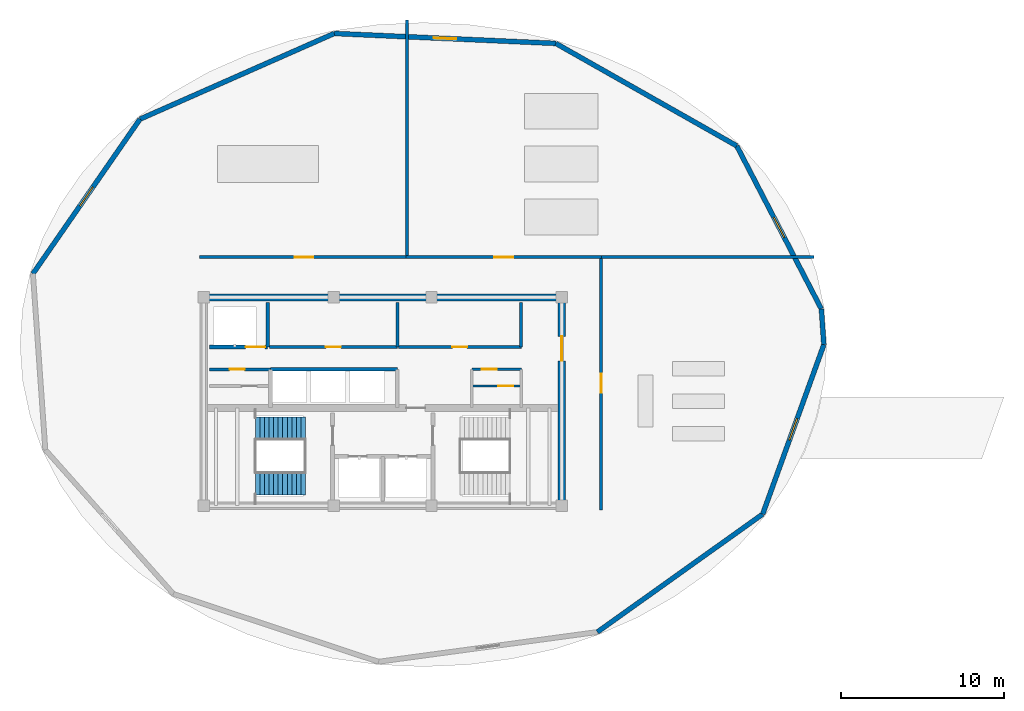
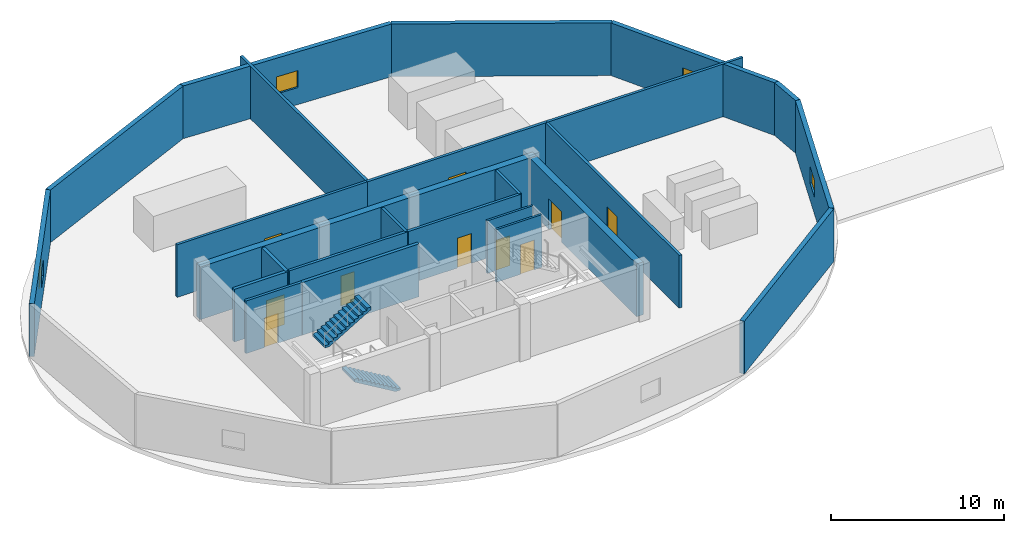
# One storey, part 2 of 5: 25 walls, 10 doors, 4 windows, 2 stair flights, 14 openings, 1 element without a shape of its own.
"""IFC4 building model written with IfcOpenShell, lengths in metres."""

from ifc_helpers import new_model, si_unit, direction, frame, frame_2d, origin, place, context, subcontext, project, spatial, polyline, rectangle, outline, extrude, material, layer, layer_set, type_object, element, fill, aggregate, save


model = new_model("IFC4")

# Units and contexts
model_context = context("Model", 3, precision=1e-05, world=origin(), true_north=direction((0.0, 1.0)))
body_context = subcontext(model_context, "Body", "Model", "MODEL_VIEW")
ifc_project = project(units=[si_unit("LENGTHUNIT", "METRE"), si_unit("AREAUNIT", "SQUARE_METRE"), si_unit("VOLUMEUNIT", "CUBIC_METRE"), si_unit("PLANEANGLEUNIT", "RADIAN"), si_unit("MASSUNIT", "GRAM", prefix="KILO")], contexts=[model_context])

# Site, building, storey
site_placement = place(None, origin())
site = spatial("IfcSite", under=ifc_project, at=site_placement, CompositionType="ELEMENT")
building_placement = place(site_placement, origin())
building = spatial("IfcBuilding", under=site, at=building_placement, Name="Kazevale Care Tower and Concert Hall", CompositionType="ELEMENT")
storey_placement = place(building_placement, frame((0.0, 0.0, 292.800048828125)))
storey = spatial("IfcBuildingStorey", under=building, at=storey_placement, Name="L77", CompositionType="ELEMENT", Elevation=292.800048828125)

# Wall, opening, door
ifc_material_1 = material(Name="Acoustic Gypsum on Steel Stud", Category="steel")
ifc_layer_1 = layer(ifc_material_1, 0.139892578125)
ifc_layer_set_1 = layer_set([ifc_layer_1], Name="Acoustic Gypsum on Steel Stud")
wall_type_1 = type_object("IfcWallType", Name="Acoustic Care & Suite Partition 140", PredefinedType="PARTITIONING", material=ifc_layer_set_1)
wall_1_placement = place(storey_placement, frame((38.47998046875, 30.949951171875, 0.0), z_axis=(0.0, 0.0, 1.0), x_axis=(1.0, 0.0, 0.0)))
wall_1 = element("IfcWall", 1, at=wall_1_placement, inside=storey, type_object=wall_type_1, Name="wall:L77:kc_em", PredefinedType="PARTITIONING", context=body_context, shape_type="SweptSolid", body=[
    extrude(rectangle(XDim=3.0400390625, YDim=0.139892578125, at=frame_2d((1.52001953125, 0.0))), origin(), (0.0, 0.0, 1.0), 3.719970703125),
])
opening_1_placement = place(wall_1_placement, frame((1.616943359375, 0.0, 0.0)))
opening_1 = element("IfcOpeningElement", 2, at=opening_1_placement, cuts=wall_1, Name="Opening ID-900", PredefinedType="OPENING", context=body_context, shape_type="SweptSolid", body=[
    extrude(rectangle(XDim=0.919921875, YDim=2.10009765625, at=frame_2d((0.4599609375, 1.050048828125))), frame((0.0, 0.079833984375, 0.0), z_axis=(0.0, -1.0, 0.0), x_axis=(1.0, 0.0, 0.0)), (0.0, 0.0, 1.0), 0.159912109375),
])
ifc_material_2 = material(Name="Oak Timber Fire Leaf", Category="wood")
door_type_1 = type_object("IfcDoorType", Name="Bathroom & Service Door 920x2100", OperationType="NOTDEFINED", PredefinedType="DOOR", material=ifc_material_2)
door_1_placement = place(opening_1_placement, origin())
door_1 = element("IfcDoor", 3, at=door_1_placement, inside=storey, type_object=door_type_1, Name="door:L77:d_kceb", OperationType="SINGLE_SWING_RIGHT", OverallHeight=2.10009765625, OverallWidth=0.919921875, PredefinedType="DOOR", context=body_context, shape_type="SweptSolid", body=[
    extrude(rectangle(XDim=0.919921875, YDim=2.10009765625, at=frame_2d((0.4599609375, 1.050048828125))), frame((0.0, 0.02490234375, 0.0), z_axis=(0.0, -1.0, 0.0), x_axis=(1.0, 0.0, 0.0)), (0.0, 0.0, 1.0), 0.050048828125),
])
fill(opening_1, door_1)

wall_2_placement = place(storey_placement, frame((38.47998046875, 31.97998046875, 0.0), z_axis=(0.0, 0.0, 1.0), x_axis=(1.0, 0.0, 0.0)))
wall_2 = element("IfcWall", 4, at=wall_2_placement, inside=storey, type_object=wall_type_1, Name="wall:L77:kc_en", PredefinedType="PARTITIONING", context=body_context, shape_type="SweptSolid", body=[
    extrude(rectangle(XDim=3.0400390625, YDim=0.139892578125, at=frame_2d((1.52001953125, 0.0))), origin(), (0.0, 0.0, 1.0), 3.719970703125),
])
opening_2_placement = place(wall_2_placement, frame((0.614013671875, 0.0, 0.0)))
opening_2 = element("IfcOpeningElement", 5, at=opening_2_placement, cuts=wall_2, Name="Opening ID-900", PredefinedType="OPENING", context=body_context, shape_type="SweptSolid", body=[
    extrude(rectangle(XDim=0.919921875, YDim=2.10009765625, at=frame_2d((0.4599609375, 1.050048828125))), frame((0.0, 0.079833984375, 0.0), z_axis=(0.0, -1.0, 0.0), x_axis=(1.0, 0.0, 0.0)), (0.0, 0.0, 1.0), 0.159912109375),
])
door_2_placement = place(opening_2_placement, origin())
door_2 = element("IfcDoor", 6, at=door_2_placement, inside=storey, type_object=door_type_1, Name="door:L77:d_kcet", OperationType="SINGLE_SWING_LEFT", OverallHeight=2.10009765625, OverallWidth=0.919921875, PredefinedType="DOOR", context=body_context, shape_type="SweptSolid", body=[
    extrude(rectangle(XDim=0.919921875, YDim=2.10009765625, at=frame_2d((0.4599609375, 1.050048828125))), frame((0.0, 0.02490234375, 0.0), z_axis=(0.0, -1.0, 0.0), x_axis=(1.0, 0.0, 0.0)), (0.0, 0.0, 1.0), 0.050048828125),
])
fill(opening_2, door_2)

# Wall
ifc_material_3 = material(Name="Concrete C50", Category="concrete")
ifc_layer_2 = layer(ifc_material_3, 0.449951171875)
ifc_layer_set_2 = layer_set([ifc_layer_2], Name="Concrete C50")
wall_type_2 = type_object("IfcWallType", Name="Core Shear Wall 450 C50", PredefinedType="SHEAR", material=ifc_layer_set_2)
wall_3_placement = place(storey_placement, frame((21.77490234375, 36.39990234375, 0.0), z_axis=(0.0, 0.0, 1.0), x_axis=(1.0, 0.0, 0.0)))
element("IfcWall", 7, at=wall_3_placement, inside=storey, type_object=wall_type_2, Name="wall:L77:core:N", PredefinedType="SHEAR", context=body_context, shape_type="SweptSolid", body=[
    extrude(rectangle(XDim=22.4501953125, YDim=0.449951171875, at=frame_2d((11.22509765625, 0.0))), origin(), (0.0, 0.0, 1.0), 3.719970703125),
])

# Wall, opening, door
wall_4_placement = place(storey_placement, frame((44.0, 23.824951171875, 0.0), z_axis=(0.0, 0.0, 1.0), x_axis=(0.0, 1.0, 0.0)))
wall_4 = element("IfcWall", 8, at=wall_4_placement, inside=storey, type_object=wall_type_2, Name="wall:L77:core:E", PredefinedType="SHEAR", context=body_context, shape_type="SweptSolid", body=[
    extrude(rectangle(XDim=12.35009765625, YDim=0.449951171875, at=frame_2d((6.175048828125, 0.0))), origin(), (0.0, 0.0, 1.0), 3.719970703125),
])
opening_3_placement = place(wall_4_placement, frame((8.675048828125, 0.0, 0.0)))
opening_3 = element("IfcOpeningElement", 9, at=opening_3_placement, cuts=wall_4, Name="Opening FD-60D", PredefinedType="OPENING", context=body_context, shape_type="SweptSolid", body=[
    extrude(rectangle(XDim=1.5, YDim=2.14990234375, at=frame_2d((0.75, 1.074951171875))), frame((0.0, 0.23486328125, 0.0), z_axis=(0.0, -1.0, 0.0), x_axis=(1.0, 0.0, 0.0)), (0.0, 0.0, 1.0), 0.469970703125),
])
door_type_2 = type_object("IfcDoorType", Name="Double Lobby & Auditorium Fire Door 1500x2150", OperationType="NOTDEFINED", PredefinedType="DOOR", material=ifc_material_2)
door_3_placement = place(opening_3_placement, origin())
door_3 = element("IfcDoor", 10, at=door_3_placement, inside=storey, type_object=door_type_2, Name="door:L77:core_east_out", OperationType="DOUBLE_DOOR_SINGLE_SWING", OverallHeight=2.14990234375, OverallWidth=1.5, PredefinedType="DOOR", context=body_context, shape_type="SweptSolid", body=[
    extrude(rectangle(XDim=1.5, YDim=2.14990234375, at=frame_2d((0.75, 1.074951171875))), frame((0.0, 0.02490234375, 0.0), z_axis=(0.0, -1.0, 0.0), x_axis=(1.0, 0.0, 0.0)), (0.0, 0.0, 1.0), 0.050048828125),
])
fill(opening_3, door_3)

# Wall, opening, window
ifc_material_4 = material(Name="Concrete C40 with Honed Limestone Cladding", Category="masonry")
ifc_layer_3 = layer(ifc_material_4, 0.300048828125)
ifc_layer_set_3 = layer_set([ifc_layer_3], Name="Concrete C40 with Honed Limestone Cladding")
wall_type_3 = type_object("IfcWallType", Name="Crown Drum Louvred Stone Wall 300", PredefinedType="STANDARD", material=ifc_layer_set_3)
wall_5_placement = place(storey_placement, frame((60.1201171875, 33.5, 0.0), z_axis=(0.0, 0.0, 1.0), x_axis=(-0.339587618367, -0.940574425259, 0.0)))
wall_5 = element("IfcWall", 11, at=wall_5_placement, inside=storey, type_object=wall_type_3, Name="wall:L77:drum:01", PredefinedType="STANDARD", context=body_context, shape_type="SweptSolid", body=[
    extrude(rectangle(XDim=11.08154296875, YDim=0.300048828125, at=frame_2d((5.540771484375, 0.0))), origin(), (0.0, 0.0, 1.0), 3.719970703125),
])
opening_4_placement = place(wall_5_placement, frame((4.841064453125, 0.0, 1.199951171875)))
opening_4 = element("IfcOpeningElement", 12, at=opening_4_placement, cuts=wall_5, Name="Opening WIN-4", PredefinedType="OPENING", context=body_context, shape_type="SweptSolid", body=[
    extrude(rectangle(XDim=1.39990234375, YDim=1.199951171875, at=frame_2d((0.699951171875, 0.60009765625))), frame((0.0, 0.159912109375, 0.0), z_axis=(0.0, -1.0, 0.0), x_axis=(1.0, 0.0, 0.0)), (0.0, 0.0, 1.0), 0.320068359375),
])
ifc_material_5 = material(Name="Aluminium 6063-T6", Category="aluminium")
window_type = type_object("IfcWindowType", Name="Crown Plant Louvred Window 1400x1200", PartitioningType="SINGLE_PANEL", PredefinedType="WINDOW", material=ifc_material_5)
window_1_placement = place(opening_4_placement, origin())
window_1 = element("IfcWindow", 13, at=window_1_placement, inside=storey, type_object=window_type, Name="win:L77:drum:01", OverallHeight=1.199951171875, OverallWidth=1.39990234375, PartitioningType="SINGLE_PANEL", PredefinedType="WINDOW", context=body_context, shape_type="SweptSolid", body=[
    extrude(rectangle(XDim=1.39990234375, YDim=1.199951171875, at=frame_2d((0.699951171875, 0.60009765625))), frame((0.0, 0.030029296875, 0.0), z_axis=(0.0, -1.0, 0.0), x_axis=(1.0, 0.0, 0.0)), (0.0, 0.0, 1.0), 0.06005859375),
])
fill(opening_4, window_1)

# Wall
wall_6_placement = place(storey_placement, frame((56.35693359375, 23.076904296875, 0.0), z_axis=(0.0, 0.0, 1.0), x_axis=(-0.814111303181, -0.580708865123, 0.0)))
element("IfcWall", 14, at=wall_6_placement, inside=storey, type_object=wall_type_3, Name="wall:L77:drum:02", PredefinedType="STANDARD", context=body_context, shape_type="SweptSolid", body=[
    extrude(rectangle(XDim=12.48095703125, YDim=0.300048828125, at=frame_2d((6.240478515625, 0.0))), origin(), (0.0, 0.0, 1.0), 3.719970703125),
])

# Wall, opening, window
wall_7_placement = place(storey_placement, frame((11.4951171875, 37.85595703125, 0.0), z_axis=(0.0, 0.0, 1.0), x_axis=(0.569269280193, 0.822151133691, 0.0)))
wall_7 = element("IfcWall", 15, at=wall_7_placement, inside=storey, type_object=wall_type_3, Name="wall:L77:drum:07", PredefinedType="STANDARD", context=body_context, shape_type="SweptSolid", body=[
    extrude(rectangle(XDim=11.56005859375, YDim=0.300048828125, at=frame_2d((5.780029296875, 0.0))), origin(), (0.0, 0.0, 1.0), 3.719970703125),
])
opening_5_placement = place(wall_7_placement, frame((5.080078125, 0.0, 1.199951171875)))
opening_5 = element("IfcOpeningElement", 16, at=opening_5_placement, cuts=wall_7, Name="Opening WIN-4", PredefinedType="OPENING", context=body_context, shape_type="SweptSolid", body=[
    extrude(rectangle(XDim=1.39990234375, YDim=1.199951171875, at=frame_2d((0.699951171875, 0.60009765625))), frame((0.0, 0.159912109375, 0.0), z_axis=(0.0, -1.0, 0.0), x_axis=(1.0, 0.0, 0.0)), (0.0, 0.0, 1.0), 0.320068359375),
])
window_2_placement = place(opening_5_placement, origin())
window_2 = element("IfcWindow", 17, at=window_2_placement, inside=storey, type_object=window_type, Name="win:L77:drum:07", OverallHeight=1.199951171875, OverallWidth=1.39990234375, PartitioningType="SINGLE_PANEL", PredefinedType="WINDOW", context=body_context, shape_type="SweptSolid", body=[
    extrude(rectangle(XDim=1.39990234375, YDim=1.199951171875, at=frame_2d((0.699951171875, 0.60009765625))), frame((0.0, 0.030029296875, 0.0), z_axis=(0.0, -1.0, 0.0), x_axis=(1.0, 0.0, 0.0)), (0.0, 0.0, 1.0), 0.06005859375),
])
fill(opening_5, window_2)

# Wall
wall_8_placement = place(storey_placement, frame((18.075927734375, 47.360107421875, 0.0), z_axis=(0.0, 0.0, 1.0), x_axis=(0.914943001047, 0.40358308294, 0.0)))
element("IfcWall", 18, at=wall_8_placement, inside=storey, type_object=wall_type_3, Name="wall:L77:drum:08", PredefinedType="STANDARD", context=body_context, shape_type="SweptSolid", body=[
    extrude(rectangle(XDim=13.0478515625, YDim=0.300048828125, at=frame_2d((6.52392578125, 0.0))), origin(), (0.0, 0.0, 1.0), 3.719970703125),
])

# Wall, opening, window
wall_9_placement = place(storey_placement, frame((30.013916015625, 52.6259765625, 0.0), z_axis=(0.0, 0.0, 1.0), x_axis=(0.998996211569, -0.04479474602, 0.0)))
wall_9 = element("IfcWall", 19, at=wall_9_placement, inside=storey, type_object=wall_type_3, Name="wall:L77:drum:09", PredefinedType="STANDARD", context=body_context, shape_type="SweptSolid", body=[
    extrude(rectangle(XDim=13.641845703125, YDim=0.300048828125, at=frame_2d((6.82080078125, 0.0))), origin(), (0.0, 0.0, 1.0), 3.719970703125),
])
opening_6_placement = place(wall_9_placement, frame((6.12109375, 0.0, 1.199951171875)))
opening_6 = element("IfcOpeningElement", 20, at=opening_6_placement, cuts=wall_9, Name="Opening WIN-4", PredefinedType="OPENING", context=body_context, shape_type="SweptSolid", body=[
    extrude(rectangle(XDim=1.39990234375, YDim=1.199951171875, at=frame_2d((0.699951171875, 0.60009765625))), frame((0.0, 0.159912109375, 0.0), z_axis=(0.0, -1.0, 0.0), x_axis=(1.0, 0.0, 0.0)), (0.0, 0.0, 1.0), 0.320068359375),
])
window_3_placement = place(opening_6_placement, origin())
window_3 = element("IfcWindow", 21, at=window_3_placement, inside=storey, type_object=window_type, Name="win:L77:drum:09", OverallHeight=1.199951171875, OverallWidth=1.39990234375, PartitioningType="SINGLE_PANEL", PredefinedType="WINDOW", context=body_context, shape_type="SweptSolid", body=[
    extrude(rectangle(XDim=1.39990234375, YDim=1.199951171875, at=frame_2d((0.699951171875, 0.60009765625))), frame((0.0, 0.030029296875, 0.0), z_axis=(0.0, -1.0, 0.0), x_axis=(1.0, 0.0, 0.0)), (0.0, 0.0, 1.0), 0.06005859375),
])
fill(opening_6, window_3)

# Wall
wall_10_placement = place(storey_placement, frame((43.64208984375, 52.014892578125, 0.0), z_axis=(0.0, 0.0, 1.0), x_axis=(0.870169378253, -0.492752730232, 0.0)))
element("IfcWall", 22, at=wall_10_placement, inside=storey, type_object=wall_type_3, Name="wall:L77:drum:10", PredefinedType="STANDARD", context=body_context, shape_type="SweptSolid", body=[
    extrude(rectangle(XDim=12.779052734375, YDim=0.300048828125, at=frame_2d((6.3896484375, 0.0))), origin(), (0.0, 0.0, 1.0), 3.719970703125),
])

# Wall, opening, window
wall_11_placement = place(storey_placement, frame((54.761962890625, 45.718017578125, 0.0), z_axis=(0.0, 0.0, 1.0), x_axis=(0.460623742834, -0.8875954977, 0.0)))
wall_11 = element("IfcWall", 23, at=wall_11_placement, inside=storey, type_object=wall_type_3, Name="wall:L77:drum:11", PredefinedType="STANDARD", context=body_context, shape_type="SweptSolid", body=[
    extrude(rectangle(XDim=11.2958984375, YDim=0.300048828125, at=frame_2d((5.64794921875, 0.0))), origin(), (0.0, 0.0, 1.0), 3.719970703125),
])
opening_7_placement = place(wall_11_placement, frame((4.947998046875, 0.0, 1.199951171875)))
opening_7 = element("IfcOpeningElement", 24, at=opening_7_placement, cuts=wall_11, Name="Opening WIN-4", PredefinedType="OPENING", context=body_context, shape_type="SweptSolid", body=[
    extrude(rectangle(XDim=1.39990234375, YDim=1.199951171875, at=frame_2d((0.699951171875, 0.60009765625))), frame((0.0, 0.159912109375, 0.0), z_axis=(0.0, -1.0, 0.0), x_axis=(1.0, 0.0, 0.0)), (0.0, 0.0, 1.0), 0.320068359375),
])
window_4_placement = place(opening_7_placement, origin())
window_4 = element("IfcWindow", 25, at=window_4_placement, inside=storey, type_object=window_type, Name="win:L77:drum:11", OverallHeight=1.199951171875, OverallWidth=1.39990234375, PartitioningType="SINGLE_PANEL", PredefinedType="WINDOW", context=body_context, shape_type="SweptSolid", body=[
    extrude(rectangle(XDim=1.39990234375, YDim=1.199951171875, at=frame_2d((0.699951171875, 0.60009765625))), frame((0.0, 0.030029296875, 0.0), z_axis=(0.0, -1.0, 0.0), x_axis=(1.0, 0.0, 0.0)), (0.0, 0.0, 1.0), 0.06005859375),
])
fill(opening_7, window_4)

# Walls
wall_12_placement = place(storey_placement, frame((59.965087890625, 35.69189453125, 0.0), z_axis=(0.0, 0.0, 1.0), x_axis=(0.070552198309, -0.997508088846, 0.0)))
element("IfcWall", 26, at=wall_12_placement, inside=storey, type_object=wall_type_3, Name="wall:L77:drum:12", PredefinedType="STANDARD", context=body_context, shape_type="SweptSolid", body=[
    extrude(rectangle(XDim=2.197265625, YDim=0.300048828125, at=frame_2d((1.0986328125, 0.0))), origin(), (0.0, 0.0, 1.0), 3.719970703125),
])
ifc_material_6 = material(Name="Concrete C40", Category="concrete")
ifc_layer_4 = layer(ifc_material_6, 0.219970703125)
ifc_layer_set_4 = layer_set([ifc_layer_4], Name="Concrete C40")
wall_type_4 = type_object("IfcWallType", Name="Elevator Hoistway Shaft Wall 220", PredefinedType="SOLIDWALL", material=ifc_layer_set_4)
wall_13_placement = place(storey_placement, frame((25.919921875, 33.35009765625, 0.0), z_axis=(0.0, 0.0, 1.0), x_axis=(0.0, 1.0, 0.0)))
element("IfcWall", 27, at=wall_13_placement, inside=storey, type_object=wall_type_4, Name="wall:L77:c_svl_e", PredefinedType="SOLIDWALL", context=body_context, shape_type="SweptSolid", body=[
    extrude(rectangle(XDim=2.72998046875, YDim=0.219970703125, at=frame_2d((1.364990234375, 0.0))), origin(), (0.0, 0.0, 1.0), 3.719970703125),
])

# Wall, opening, door
wall_14_placement = place(storey_placement, frame((22.35009765625, 33.35009765625, 0.0), z_axis=(0.0, 0.0, 1.0), x_axis=(1.0, 0.0, 0.0)))
wall_14 = element("IfcWall", 28, at=wall_14_placement, inside=storey, type_object=wall_type_4, Name="wall:L77:c_svl_s", PredefinedType="SOLIDWALL", context=body_context, shape_type="SweptSolid", body=[
    extrude(rectangle(XDim=3.56982421875, YDim=0.219970703125, at=frame_2d((1.784912109375, 0.0))), origin(), (0.0, 0.0, 1.0), 3.719970703125),
])
opening_8_placement = place(wall_14_placement, frame((2.212890625, 0.0, 0.0)))
opening_8 = element("IfcOpeningElement", 29, at=opening_8_placement, cuts=wall_14, Name="Opening LD-SV", PredefinedType="OPENING", context=body_context, shape_type="SweptSolid", body=[
    extrude(rectangle(XDim=1.199951171875, YDim=2.10009765625, at=frame_2d((0.60009765625, 1.050048828125))), frame((0.0, 0.119873046875, 0.0), z_axis=(0.0, -1.0, 0.0), x_axis=(1.0, 0.0, 0.0)), (0.0, 0.0, 1.0), 0.239990234375),
])
ifc_material_7 = material(Name="Stainless Steel 316", Category="steel")
door_type_3 = type_object("IfcDoorType", Name="Service Lift Sliding Landing Door 1200x2100", OperationType="NOTDEFINED", PredefinedType="DOOR", material=ifc_material_7)
door_4_placement = place(opening_8_placement, origin())
door_4 = element("IfcDoor", 30, at=door_4_placement, inside=storey, type_object=door_type_3, Name="door:L77:ld_svl1", OperationType="SLIDING_TO_LEFT", OverallHeight=2.10009765625, OverallWidth=1.199951171875, PredefinedType="DOOR", context=body_context, shape_type="SweptSolid", body=[
    extrude(rectangle(XDim=1.199951171875, YDim=2.10009765625, at=frame_2d((0.60009765625, 1.050048828125))), frame((0.0, 0.02490234375, 0.0), z_axis=(0.0, -1.0, 0.0), x_axis=(1.0, 0.0, 0.0)), (0.0, 0.0, 1.0), 0.050048828125),
])
fill(opening_8, door_4)

# Wall
wall_15_placement = place(storey_placement, frame((26.10009765625, 31.97998046875, 0.0), z_axis=(0.0, 0.0, 1.0), x_axis=(1.0, 0.0, 0.0)))
element("IfcWall", 31, at=wall_15_placement, inside=storey, type_object=wall_type_4, Name="wall:L77:c_ph_n", PredefinedType="SOLIDWALL", context=body_context, shape_type="SweptSolid", body=[
    extrude(rectangle(XDim=7.7998046875, YDim=0.219970703125, at=frame_2d((3.89990234375, 0.0))), origin(), (0.0, 0.0, 1.0), 3.719970703125),
])

# Wall, opening, door
ifc_material_8 = material(Name="Concrete C40 and Acoustic Gypsum", Category="concrete")
ifc_layer_5 = layer(ifc_material_8, 0.179931640625)
ifc_layer_set_5 = layer_set([ifc_layer_5], Name="Concrete C40 and Acoustic Gypsum")
wall_type_5 = type_object("IfcWallType", Name="Fire-Rated Corridor & Party Wall 180", PredefinedType="PARTITIONING", material=ifc_layer_set_5)
wall_16_placement = place(storey_placement, frame((26.050048828125, 33.35009765625, 0.0), z_axis=(0.0, 0.0, 1.0), x_axis=(1.0, 0.0, 0.0)))
wall_16 = element("IfcWall", 32, at=wall_16_placement, inside=storey, type_object=wall_type_5, Name="wall:L77:c_cps_s", PredefinedType="PARTITIONING", context=body_context, shape_type="SweptSolid", body=[
    extrude(rectangle(XDim=7.869873046875, YDim=0.179931640625, at=frame_2d((3.93505859375, 0.0))), origin(), (0.0, 0.0, 1.0), 3.719970703125),
])
opening_9_placement = place(wall_16_placement, frame((3.4599609375, 0.0, 0.0)))
opening_9 = element("IfcOpeningElement", 33, at=opening_9_placement, cuts=wall_16, Name="Opening ID-900", PredefinedType="OPENING", context=body_context, shape_type="SweptSolid", body=[
    extrude(rectangle(XDim=0.919921875, YDim=2.10009765625, at=frame_2d((0.4599609375, 1.050048828125))), frame((0.0, 0.099853515625, 0.0), z_axis=(0.0, -1.0, 0.0), x_axis=(1.0, 0.0, 0.0)), (0.0, 0.0, 1.0), 0.199951171875),
])
door_5_placement = place(opening_9_placement, origin())
door_5 = element("IfcDoor", 34, at=door_5_placement, inside=storey, type_object=door_type_1, Name="door:L77:d_cps", OperationType="SINGLE_SWING_LEFT", OverallHeight=2.10009765625, OverallWidth=0.919921875, PredefinedType="DOOR", context=body_context, shape_type="SweptSolid", body=[
    extrude(rectangle(XDim=0.919921875, YDim=2.10009765625, at=frame_2d((0.4599609375, 1.050048828125))), frame((0.0, 0.02490234375, 0.0), z_axis=(0.0, -1.0, 0.0), x_axis=(1.0, 0.0, 0.0)), (0.0, 0.0, 1.0), 0.050048828125),
])
fill(opening_9, door_5)

# Wall
wall_17_placement = place(storey_placement, frame((33.89990234375, 33.35009765625, 0.0), z_axis=(0.0, 0.0, 1.0), x_axis=(0.0, 1.0, 0.0)))
element("IfcWall", 35, at=wall_17_placement, inside=storey, type_object=wall_type_5, Name="wall:L77:c_cps_e", PredefinedType="PARTITIONING", context=body_context, shape_type="SweptSolid", body=[
    extrude(rectangle(XDim=2.75, YDim=0.179931640625, at=frame_2d((1.375, 0.0))), origin(), (0.0, 0.0, 1.0), 3.719970703125),
])

# Wall, opening, door
wall_18_placement = place(storey_placement, frame((33.97998046875, 33.35009765625, 0.0), z_axis=(0.0, 0.0, 1.0), x_axis=(1.0, 0.0, 0.0)))
wall_18 = element("IfcWall", 36, at=wall_18_placement, inside=storey, type_object=wall_type_5, Name="wall:L77:c_pma_s", PredefinedType="PARTITIONING", context=body_context, shape_type="SweptSolid", body=[
    extrude(rectangle(XDim=7.5400390625, YDim=0.179931640625, at=frame_2d((3.77001953125, 0.0))), origin(), (0.0, 0.0, 1.0), 3.719970703125),
])
opening_10_placement = place(wall_18_placement, frame((3.294921875, 0.0, 0.0)))
opening_10 = element("IfcOpeningElement", 37, at=opening_10_placement, cuts=wall_18, Name="Opening ID-900", PredefinedType="OPENING", context=body_context, shape_type="SweptSolid", body=[
    extrude(rectangle(XDim=0.919921875, YDim=2.10009765625, at=frame_2d((0.4599609375, 1.050048828125))), frame((0.0, 0.099853515625, 0.0), z_axis=(0.0, -1.0, 0.0), x_axis=(1.0, 0.0, 0.0)), (0.0, 0.0, 1.0), 0.199951171875),
])
door_6_placement = place(opening_10_placement, origin())
door_6 = element("IfcDoor", 38, at=door_6_placement, inside=storey, type_object=door_type_1, Name="door:L77:d_pma", OperationType="SINGLE_SWING_LEFT", OverallHeight=2.10009765625, OverallWidth=0.919921875, PredefinedType="DOOR", context=body_context, shape_type="SweptSolid", body=[
    extrude(rectangle(XDim=0.919921875, YDim=2.10009765625, at=frame_2d((0.4599609375, 1.050048828125))), frame((0.0, 0.02490234375, 0.0), z_axis=(0.0, -1.0, 0.0), x_axis=(1.0, 0.0, 0.0)), (0.0, 0.0, 1.0), 0.050048828125),
])
fill(opening_10, door_6)

# Wall
wall_19_placement = place(storey_placement, frame((41.5, 33.35009765625, 0.0), z_axis=(0.0, 0.0, 1.0), x_axis=(0.0, 1.0, 0.0)))
element("IfcWall", 39, at=wall_19_placement, inside=storey, type_object=wall_type_5, Name="wall:L77:c_pma_e", PredefinedType="PARTITIONING", context=body_context, shape_type="SweptSolid", body=[
    extrude(rectangle(XDim=2.75, YDim=0.179931640625, at=frame_2d((1.375, 0.0))), origin(), (0.0, 0.0, 1.0), 3.719970703125),
])

# Wall, opening, door
wall_20_placement = place(storey_placement, frame((22.35009765625, 31.97998046875, 0.0), z_axis=(0.0, 0.0, 1.0), x_axis=(1.0, 0.0, 0.0)))
wall_20 = element("IfcWall", 40, at=wall_20_placement, inside=storey, type_object=wall_type_5, Name="wall:L77:kc_wn", PredefinedType="PARTITIONING", context=body_context, shape_type="SweptSolid", body=[
    extrude(rectangle(XDim=3.75, YDim=0.179931640625, at=frame_2d((1.875, 0.0))), origin(), (0.0, 0.0, 1.0), 3.719970703125),
])
opening_11_placement = place(wall_20_placement, frame((1.238037109375, 0.0, 0.0)))
opening_11 = element("IfcOpeningElement", 41, at=opening_11_placement, cuts=wall_20, Name="Opening ID-900", PredefinedType="OPENING", context=body_context, shape_type="SweptSolid", body=[
    extrude(rectangle(XDim=0.919921875, YDim=2.10009765625, at=frame_2d((0.4599609375, 1.050048828125))), frame((0.0, 0.099853515625, 0.0), z_axis=(0.0, -1.0, 0.0), x_axis=(1.0, 0.0, 0.0)), (0.0, 0.0, 1.0), 0.199951171875),
])
door_7_placement = place(opening_11_placement, origin())
door_7 = element("IfcDoor", 42, at=door_7_placement, inside=storey, type_object=door_type_1, Name="door:L77:d_kcwt", OperationType="SINGLE_SWING_LEFT", OverallHeight=2.10009765625, OverallWidth=0.919921875, PredefinedType="DOOR", context=body_context, shape_type="SweptSolid", body=[
    extrude(rectangle(XDim=0.919921875, YDim=2.10009765625, at=frame_2d((0.4599609375, 1.050048828125))), frame((0.0, 0.02490234375, 0.0), z_axis=(0.0, -1.0, 0.0), x_axis=(1.0, 0.0, 0.0)), (0.0, 0.0, 1.0), 0.050048828125),
])
fill(opening_11, door_7)

wall_21_placement = place(storey_placement, frame((21.7451171875, 38.875, 0.0), z_axis=(0.0, 0.0, 1.0), x_axis=(1.0, 0.0, 0.0)))
wall_21 = element("IfcWall", 43, at=wall_21_placement, inside=storey, type_object=wall_type_5, Name="wall:L77:auto_001", PredefinedType="PARTITIONING", context=body_context, shape_type="SweptSolid", body=[
    extrude(rectangle(XDim=12.81982421875, YDim=0.179931640625, at=frame_2d((6.409912109375, 0.0))), origin(), (0.0, 0.0, 1.0), 3.719970703125),
])
opening_12_placement = place(wall_21_placement, frame((5.8349609375, 0.0, 0.0)))
opening_12 = element("IfcOpeningElement", 44, at=opening_12_placement, cuts=wall_21, Name="Opening FD-90", PredefinedType="OPENING", context=body_context, shape_type="SweptSolid", body=[
    extrude(rectangle(XDim=1.14990234375, YDim=2.10009765625, at=frame_2d((0.574951171875, 1.050048828125))), frame((0.0, 0.099853515625, 0.0), z_axis=(0.0, -1.0, 0.0), x_axis=(1.0, 0.0, 0.0)), (0.0, 0.0, 1.0), 0.199951171875),
])
ifc_material_9 = material(Name="Steel ASTM A572 Gr 50", Category="steel")
door_type_4 = type_object("IfcDoorType", Name="Pressurized Stair & Lobby Fire Door 1150x2100", OperationType="NOTDEFINED", PredefinedType="DOOR", material=ifc_material_9)
door_8_placement = place(opening_12_placement, origin())
door_8 = element("IfcDoor", 45, at=door_8_placement, inside=storey, type_object=door_type_4, Name="door:L77:ad_001", OperationType="SINGLE_SWING_LEFT", OverallHeight=2.10009765625, OverallWidth=1.14990234375, PredefinedType="DOOR", context=body_context, shape_type="SweptSolid", body=[
    extrude(rectangle(XDim=1.14990234375, YDim=2.10009765625, at=frame_2d((0.574951171875, 1.050048828125))), frame((0.0, 0.02490234375, 0.0), z_axis=(0.0, -1.0, 0.0), x_axis=(1.0, 0.0, 0.0)), (0.0, 0.0, 1.0), 0.050048828125),
])
fill(opening_12, door_8)

wall_22_placement = place(storey_placement, frame((34.43505859375, 38.875, 0.0), z_axis=(0.0, 0.0, 1.0), x_axis=(1.0, 0.0, 0.0)))
wall_22 = element("IfcWall", 46, at=wall_22_placement, inside=storey, type_object=wall_type_5, Name="wall:L77:auto_002", PredefinedType="PARTITIONING", context=body_context, shape_type="SweptSolid", body=[
    extrude(rectangle(XDim=12.02001953125, YDim=0.179931640625, at=frame_2d((6.010009765625, 0.0))), origin(), (0.0, 0.0, 1.0), 3.719970703125),
])
opening_13_placement = place(wall_22_placement, frame((5.43505859375, 0.0, 0.0)))
opening_13 = element("IfcOpeningElement", 47, at=opening_13_placement, cuts=wall_22, Name="Opening FD-90", PredefinedType="OPENING", context=body_context, shape_type="SweptSolid", body=[
    extrude(rectangle(XDim=1.14990234375, YDim=2.10009765625, at=frame_2d((0.574951171875, 1.050048828125))), frame((0.0, 0.099853515625, 0.0), z_axis=(0.0, -1.0, 0.0), x_axis=(1.0, 0.0, 0.0)), (0.0, 0.0, 1.0), 0.199951171875),
])
door_9_placement = place(opening_13_placement, origin())
door_9 = element("IfcDoor", 48, at=door_9_placement, inside=storey, type_object=door_type_4, Name="door:L77:ad_002", OperationType="SINGLE_SWING_LEFT", OverallHeight=2.10009765625, OverallWidth=1.14990234375, PredefinedType="DOOR", context=body_context, shape_type="SweptSolid", body=[
    extrude(rectangle(XDim=1.14990234375, YDim=2.10009765625, at=frame_2d((0.574951171875, 1.050048828125))), frame((0.0, 0.02490234375, 0.0), z_axis=(0.0, -1.0, 0.0), x_axis=(1.0, 0.0, 0.0)), (0.0, 0.0, 1.0), 0.050048828125),
])
fill(opening_13, door_9)

wall_23_placement = place(storey_placement, frame((46.425048828125, 38.905029296875, 0.0), z_axis=(0.0, 0.0, 1.0), x_axis=(0.0, -1.0, 0.0)))
wall_23 = element("IfcWall", 49, at=wall_23_placement, inside=storey, type_object=wall_type_5, Name="wall:L77:auto_003", PredefinedType="PARTITIONING", context=body_context, shape_type="SweptSolid", body=[
    extrude(rectangle(XDim=15.56005859375, YDim=0.179931640625, at=frame_2d((7.780029296875, 0.0))), origin(), (0.0, 0.0, 1.0), 3.719970703125),
])
opening_14_placement = place(wall_23_placement, frame((7.205078125, 0.0, 0.0)))
opening_14 = element("IfcOpeningElement", 50, at=opening_14_placement, cuts=wall_23, Name="Opening FD-90", PredefinedType="OPENING", context=body_context, shape_type="SweptSolid", body=[
    extrude(rectangle(XDim=1.14990234375, YDim=2.10009765625, at=frame_2d((0.574951171875, 1.050048828125))), frame((0.0, 0.099853515625, 0.0), z_axis=(0.0, -1.0, 0.0), x_axis=(1.0, 0.0, 0.0)), (0.0, 0.0, 1.0), 0.199951171875),
])
door_10_placement = place(opening_14_placement, origin())
door_10 = element("IfcDoor", 51, at=door_10_placement, inside=storey, type_object=door_type_4, Name="door:L77:ad_003", OperationType="SINGLE_SWING_LEFT", OverallHeight=2.10009765625, OverallWidth=1.14990234375, PredefinedType="DOOR", context=body_context, shape_type="SweptSolid", body=[
    extrude(rectangle(XDim=1.14990234375, YDim=2.10009765625, at=frame_2d((0.574951171875, 1.050048828125))), frame((0.0, 0.02490234375, 0.0), z_axis=(0.0, -1.0, 0.0), x_axis=(1.0, 0.0, 0.0)), (0.0, 0.0, 1.0), 0.050048828125),
])
fill(opening_14, door_10)

# Walls
wall_24_placement = place(storey_placement, frame((34.5, 53.455078125, 0.0), z_axis=(0.0, 0.0, 1.0), x_axis=(0.0, -1.0, 0.0)))
element("IfcWall", 52, at=wall_24_placement, inside=storey, type_object=wall_type_5, Name="wall:L77:auto_004", PredefinedType="PARTITIONING", context=body_context, shape_type="SweptSolid", body=[
    extrude(rectangle(XDim=14.610107421875, YDim=0.179931640625, at=frame_2d((7.30517578125, 0.0))), origin(), (0.0, 0.0, 1.0), 3.719970703125),
])
wall_25_placement = place(storey_placement, frame((59.51708984375, 38.875, 0.0), z_axis=(0.0, 0.0, 1.0), x_axis=(-1.0, 0.0, 0.0)))
element("IfcWall", 53, at=wall_25_placement, inside=storey, type_object=wall_type_5, Name="wall:L77:auto_005", PredefinedType="PARTITIONING", context=body_context, shape_type="SweptSolid", body=[
    extrude(rectangle(XDim=13.156982421875, YDim=0.179931640625, at=frame_2d((6.57861328125, 0.0))), origin(), (0.0, 0.0, 1.0), 3.719970703125),
])

# Stair, stair flights
stair_type = type_object("IfcStairType", Name="Exit Stair Assembly ST1-C", PredefinedType="HALF_TURN_STAIR", material=ifc_material_6)
stair_placement = place(storey_placement, origin())
stair = element("IfcStair", 54, at=stair_placement, inside=storey, type_object=stair_type, Name="stair:L77:ST1", PredefinedType="HALF_TURN_STAIR")
ifc_layer_6 = layer(ifc_material_6, 0.159912109375)
ifc_layer_set_6 = layer_set([ifc_layer_6], Name="Concrete C40")
stair_flight_type = type_object("IfcStairFlightType", Name="Exit Stair Flight ST1-C", PredefinedType="STRAIGHT", material=ifc_layer_set_6)
stair_flight_1_placement = place(storey_placement, frame((28.25, 24.9599609375, 0.0), z_axis=(0.0, 0.0, 1.0), x_axis=(-1.0, 0.0, 0.0)))
stair_flight_1 = element("IfcStairFlight", 55, at=stair_flight_1_placement, type_object=stair_flight_type, Name="ST1-C flight 1", NumberOfRisers=12, NumberOfTreads=11, PredefinedType="STRAIGHT", RiserHeight=0.166667, TreadLength=0.28, context=body_context, shape_type="SweptSolid", body=[
    extrude(outline(polyline([(0.0, 0.0), (0.0, 0.166748046875), (0.280029296875, 0.166748046875), (0.280029296875, 0.333251953125), (0.56005859375, 0.333251953125), (0.56005859375, 0.5), (0.840087890625, 0.5), (0.840087890625, 0.666748046875), (1.1201171875, 0.666748046875), (1.1201171875, 0.833251953125), (1.39990234375, 0.833251953125), (1.39990234375, 1.0), (1.679931640625, 1.0), (1.679931640625, 1.166748046875), (1.9599609375, 1.166748046875), (1.9599609375, 1.333251953125), (2.239990234375, 1.333251953125), (2.239990234375, 1.5), (2.52001953125, 1.5), (2.52001953125, 1.666748046875), (2.800048828125, 1.666748046875), (2.800048828125, 1.833251953125), (3.080078125, 1.833251953125), (3.080078125, 2.0), (3.080078125, 1.647216796875), (0.312744140625, 0.0), (0.0, 0.0)])), frame((0.0, 0.7099609375, 0.0), z_axis=(0.0, -1.0, 0.0), x_axis=(1.0, 0.0, 0.0)), (0.0, 0.0, 1.0), 1.419921875),
])
stair_flight_2_placement = place(storey_placement, frame((25.169921875, 28.340087890625, 2.0), z_axis=(0.0, 0.0, 1.0), x_axis=(1.0, 0.0, 0.0)))
stair_flight_2 = element("IfcStairFlight", 56, at=stair_flight_2_placement, type_object=stair_flight_type, Name="ST1-C flight 2", NumberOfRisers=12, NumberOfTreads=11, PredefinedType="STRAIGHT", RiserHeight=0.166667, TreadLength=0.28, context=body_context, shape_type="SweptSolid", body=[
    extrude(outline(polyline([(0.0, 0.0), (0.0, 0.166748046875), (0.280029296875, 0.166748046875), (0.280029296875, 0.333251953125), (0.56005859375, 0.333251953125), (0.56005859375, 0.5), (0.840087890625, 0.5), (0.840087890625, 0.666748046875), (1.1201171875, 0.666748046875), (1.1201171875, 0.833251953125), (1.39990234375, 0.833251953125), (1.39990234375, 1.0), (1.679931640625, 1.0), (1.679931640625, 1.166748046875), (1.9599609375, 1.166748046875), (1.9599609375, 1.333251953125), (2.239990234375, 1.333251953125), (2.239990234375, 1.5), (2.52001953125, 1.5), (2.52001953125, 1.666748046875), (2.800048828125, 1.666748046875), (2.800048828125, 1.833251953125), (3.080078125, 1.833251953125), (3.080078125, 2.0), (3.080078125, 1.647216796875), (0.312744140625, 0.0), (0.0, 0.0)])), frame((0.0, 0.7099609375, 0.0), z_axis=(0.0, -1.0, 0.0), x_axis=(1.0, 0.0, 0.0)), (0.0, 0.0, 1.0), 1.419921875),
])
aggregate(stair, [stair_flight_1, stair_flight_2])

save(model, "model.ifc")
